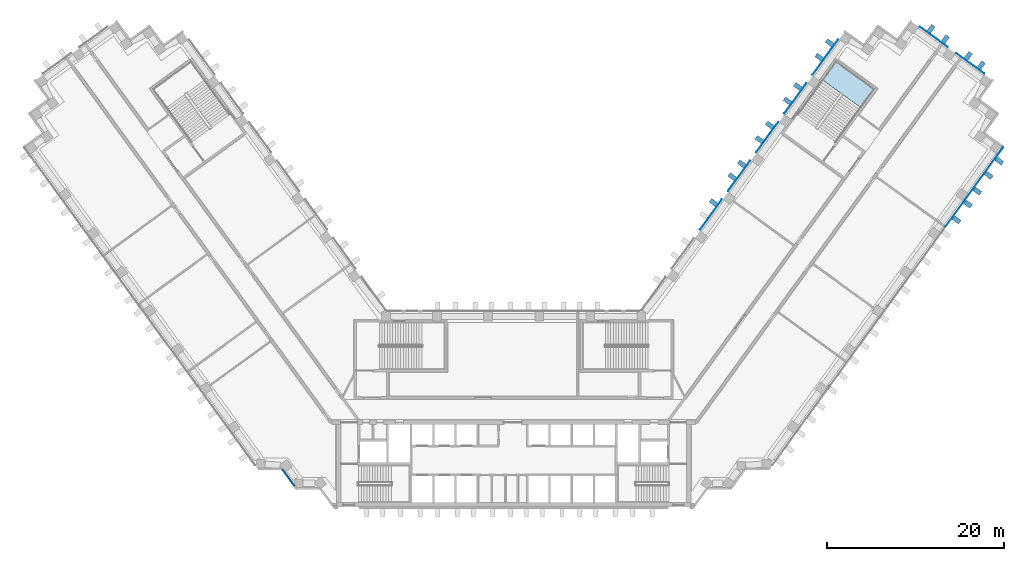
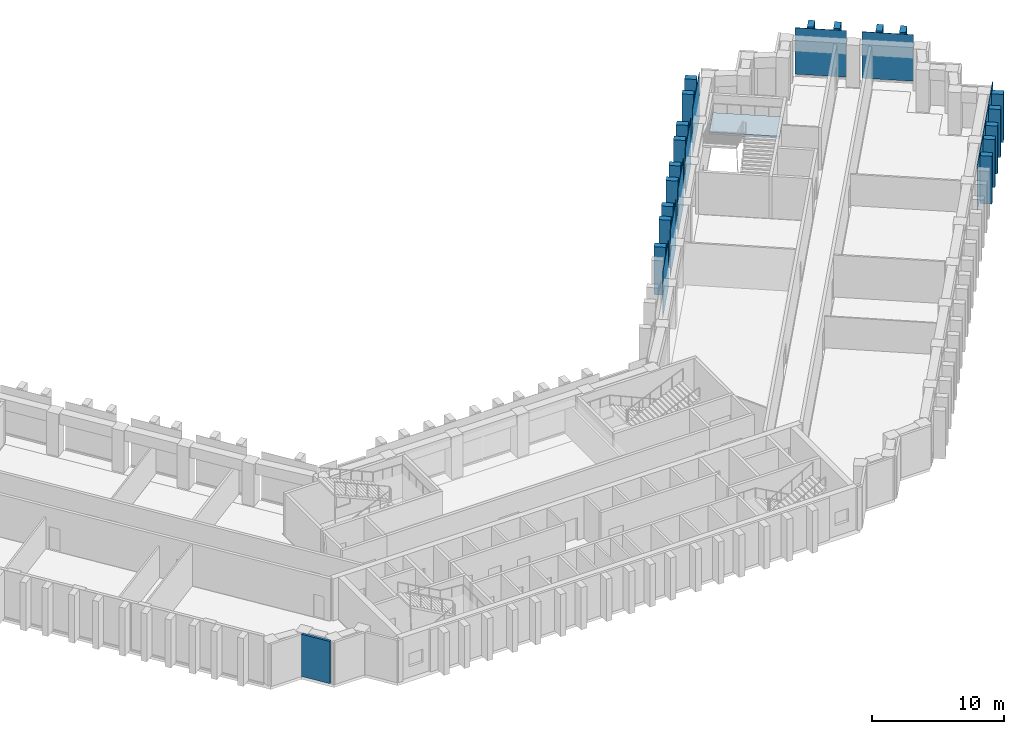
"""IFC4 building model written with IfcOpenShell, lengths in metres."""

from ifc_helpers import new_model, si_unit, direction, frame, frame_2d, origin, origin_2d, place, context, subcontext, project, spatial, polyline, rectangle, outline, extrude, material, layer, layer_set, type_object, element, aggregate, save


model = new_model("IFC4")

# Units and contexts
model_context = context("Model", 3, precision=1e-05, world=origin(), true_north=direction((0.0, 1.0)))
body_context = subcontext(model_context, "Body", "Model", "MODEL_VIEW")
ifc_project = project(units=[si_unit("LENGTHUNIT", "METRE"), si_unit("AREAUNIT", "SQUARE_METRE"), si_unit("VOLUMEUNIT", "CUBIC_METRE"), si_unit("PLANEANGLEUNIT", "RADIAN"), si_unit("MASSUNIT", "GRAM", prefix="KILO")], contexts=[model_context])

# Site, building, storey
site_placement = place(None, origin())
site = spatial("IfcSite", under=ifc_project, at=site_placement, CompositionType="ELEMENT")
building_placement = place(site_placement, origin())
building = spatial("IfcBuilding", under=site, at=building_placement, Name="Quipu Civic Tower", CompositionType="ELEMENT")
storey_1_placement = place(building_placement, frame((0.0, 0.0, 16.0)))
storey_1 = spatial("IfcBuildingStorey", under=building, at=storey_1_placement, Name="L03", CompositionType="ELEMENT", Elevation=16.0)

# Curtain wall
ifc_material_1 = material(Name="Insulated glass unit", Category="glass")
curtain_wall_type = type_object("IfcCurtainWallType", Name="Public services curtain wall CW3", PredefinedType="NOTDEFINED", material=ifc_material_1)
curtain_wall_1_placement = place(storey_1_placement, origin())
curtain_wall_1 = element("IfcCurtainWall", 1, at=curtain_wall_1_placement, inside=storey_1, type_object=curtain_wall_type, Name="Public services curtain wall CW3 L02 run 32", PredefinedType="NOTDEFINED")

# Storey
storey_2_placement = place(building_placement, frame((0.0, 0.0, 20.5)))
storey_2 = spatial("IfcBuildingStorey", under=building, at=storey_2_placement, Name="L04", CompositionType="ELEMENT", Elevation=20.5)

# Plate
ifc_material_2 = material(Name="Insulated glass unit", Category="glass")
ifc_layer_1 = layer(ifc_material_2, 0.031982421875)
ifc_layer_set_1 = layer_set([ifc_layer_1], Name="Insulated glass unit")
plate_type_1 = type_object("IfcPlateType", Name="Glass panel CW3", PredefinedType="CURTAIN_PANEL", material=ifc_layer_set_1)
plate_1_placement = place(storey_2_placement, frame((51.970947265625, 25.11962890625, 0.139892578125), z_axis=(0.0, 0.0, 1.0), x_axis=(0.587785356329, 0.809016918788, 0.0)))
plate_1 = element("IfcPlate", 2, at=plate_1_placement, inside=storey_2, type_object=plate_type_1, Name="CW3 panel 4.3", PredefinedType="CURTAIN_PANEL", context=body_context, shape_type="SweptSolid", body=[
    extrude(rectangle(XDim=10.971435546875, YDim=0.031982421875, at=origin_2d()), origin(), (0.0, 0.0, 1.0), 4.2900390625),
])

aggregate(curtain_wall_1, [plate_1])

# Curtain wall, plate
curtain_wall_2_placement = place(storey_1_placement, origin())
curtain_wall_2 = element("IfcCurtainWall", 3, at=curtain_wall_2_placement, inside=storey_1, type_object=curtain_wall_type, Name="Public services curtain wall CW3 L02 run 37", PredefinedType="NOTDEFINED")
plate_2_placement = place(storey_2_placement, frame((51.51025390625, 39.033447265625, 0.139892578125), z_axis=(0.0, 0.0, 1.0), x_axis=(-0.809014568883, 0.587788590681, 0.0)))
plate_2 = element("IfcPlate", 4, at=plate_2_placement, inside=storey_2, type_object=plate_type_1, Name="CW3 panel 1.3", PredefinedType="CURTAIN_PANEL", context=body_context, shape_type="SweptSolid", body=[
    extrude(rectangle(XDim=3.898193359375, YDim=0.031982421875, at=origin_2d()), origin(), (0.0, 0.0, 1.0), 4.2900390625),
])
aggregate(curtain_wall_2, [plate_2])

curtain_wall_3_placement = place(storey_1_placement, origin())
curtain_wall_3 = element("IfcCurtainWall", 5, at=curtain_wall_3_placement, inside=storey_1, type_object=curtain_wall_type, Name="Public services curtain wall CW3 L02 run 38", PredefinedType="NOTDEFINED")
plate_3_placement = place(storey_2_placement, frame((47.385009765625, 42.03076171875, 0.139892578125), z_axis=(0.0, 0.0, 1.0), x_axis=(-0.809030241342, 0.587767018974, 0.0)))
plate_3 = element("IfcPlate", 6, at=plate_3_placement, inside=storey_2, type_object=plate_type_1, Name="CW3 panel 1.3", PredefinedType="CURTAIN_PANEL", context=body_context, shape_type="SweptSolid", body=[
    extrude(rectangle(XDim=3.900146484375, YDim=0.031982421875, at=origin_2d()), origin(), (0.0, 0.0, 1.0), 4.2900390625),
])
aggregate(curtain_wall_3, [plate_3])

curtain_wall_4_placement = place(storey_1_placement, origin())
curtain_wall_4 = element("IfcCurtainWall", 7, at=curtain_wall_4_placement, inside=storey_1, type_object=curtain_wall_type, Name="Public services curtain wall CW3 L02 run 43", PredefinedType="NOTDEFINED")
plate_4_placement = place(storey_2_placement, frame((35.149658203125, 39.736328125, 0.139892578125), z_axis=(0.0, 0.0, 1.0), x_axis=(-0.587782980465, -0.809018644949, 0.0)))
plate_4 = element("IfcPlate", 8, at=plate_4_placement, inside=storey_2, type_object=plate_type_1, Name="CW3 panel 1.3", PredefinedType="CURTAIN_PANEL", context=body_context, shape_type="SweptSolid", body=[
    extrude(rectangle(XDim=4.89453125, YDim=0.031982421875, at=origin_2d()), origin(), (0.0, 0.0, 1.0), 4.2900390625),
])
aggregate(curtain_wall_4, [plate_4])

curtain_wall_5_placement = place(storey_1_placement, origin())
curtain_wall_5 = element("IfcCurtainWall", 9, at=curtain_wall_5_placement, inside=storey_1, type_object=curtain_wall_type, Name="Public services curtain wall CW3 L02 run 44", PredefinedType="NOTDEFINED")
plate_5_placement = place(storey_2_placement, frame((31.771484375, 35.086669921875, 0.139892578125), z_axis=(0.0, 0.0, 1.0), x_axis=(-0.587789203544, -0.809014123608, 0.0)))
plate_5 = element("IfcPlate", 10, at=plate_5_placement, inside=storey_2, type_object=plate_type_1, Name="CW3 panel 1.3", PredefinedType="CURTAIN_PANEL", context=body_context, shape_type="SweptSolid", body=[
    extrude(rectangle(XDim=4.199951171875, YDim=0.031982421875, at=origin_2d()), origin(), (0.0, 0.0, 1.0), 4.2900390625),
])
aggregate(curtain_wall_5, [plate_5])

curtain_wall_6_placement = place(storey_1_placement, origin())
curtain_wall_6 = element("IfcCurtainWall", 11, at=curtain_wall_6_placement, inside=storey_1, type_object=curtain_wall_type, Name="Public services curtain wall CW3 L02 run 45", PredefinedType="NOTDEFINED")
plate_6_placement = place(storey_2_placement, frame((28.597412109375, 30.718017578125, 0.139892578125), z_axis=(0.0, 0.0, 1.0), x_axis=(-0.587785135859, -0.809017078969, 0.0)))
plate_6 = element("IfcPlate", 12, at=plate_6_placement, inside=storey_2, type_object=plate_type_1, Name="CW3 panel 1.3", PredefinedType="CURTAIN_PANEL", context=body_context, shape_type="SweptSolid", body=[
    extrude(rectangle(XDim=4.199951171875, YDim=0.031982421875, at=origin_2d()), origin(), (0.0, 0.0, 1.0), 4.2900390625),
])
aggregate(curtain_wall_6, [plate_6])

curtain_wall_7_placement = place(storey_1_placement, origin())
curtain_wall_7 = element("IfcCurtainWall", 13, at=curtain_wall_7_placement, inside=storey_1, type_object=curtain_wall_type, Name="Public services curtain wall CW3 L02 run 46", PredefinedType="NOTDEFINED")
plate_7_placement = place(storey_2_placement, frame((25.42333984375, 26.349365234375, 0.139892578125), z_axis=(0.0, 0.0, 1.0), x_axis=(-0.587789203544, -0.809014123608, 0.0)))
plate_7 = element("IfcPlate", 14, at=plate_7_placement, inside=storey_2, type_object=plate_type_1, Name="CW3 panel 1.3", PredefinedType="CURTAIN_PANEL", context=body_context, shape_type="SweptSolid", body=[
    extrude(rectangle(XDim=4.199951171875, YDim=0.031982421875, at=origin_2d()), origin(), (0.0, 0.0, 1.0), 4.2900390625),
])
aggregate(curtain_wall_7, [plate_7])

curtain_wall_8_placement = place(storey_1_placement, origin())
curtain_wall_8 = element("IfcCurtainWall", 15, at=curtain_wall_8_placement, inside=storey_1, type_object=curtain_wall_type, Name="Public services curtain wall CW3 L02 run 47", PredefinedType="NOTDEFINED")
plate_8_placement = place(storey_2_placement, frame((22.24951171875, 21.98046875, 0.139892578125), z_axis=(0.0, 0.0, 1.0), x_axis=(-0.587774328321, -0.809024930992, 0.0)))
plate_8 = element("IfcPlate", 16, at=plate_8_placement, inside=storey_2, type_object=plate_type_1, Name="CW3 panel 1.3", PredefinedType="CURTAIN_PANEL", context=body_context, shape_type="SweptSolid", body=[
    extrude(rectangle(XDim=4.199951171875, YDim=0.031982421875, at=origin_2d()), origin(), (0.0, 0.0, 1.0), 4.2900390625),
])
aggregate(curtain_wall_8, [plate_8])

# Plates
ifc_material_3 = material(Name="Precast concrete C40/50", Category="concrete")
plate_type_2 = type_object("IfcPlateType", Name="Precast fin F0", PredefinedType="SHEET", material=ifc_material_3)
for number, where, z_axis, x_axis, name in (
    (17, (49.946533203125, 21.397705078125, 0.06982421875), (0.0, 0.0, 1.0), (0.587785716149, 0.809016657363, 0.0), "Precast fin F0 L04.P33.18"),
    (18, (51.23974609375, 23.177734375, 0.06982421875), (0.0, 0.0, 1.0), (0.587785716149, 0.809016657363, 0.0), "Precast fin F0 L04.P33.19"),
    (19, (52.2978515625, 24.6337890625, 0.06982421875), (0.0, 0.0, 1.0), (0.587785716149, 0.809016657363, 0.0), "Precast fin F0 L04.P33.20"),
    (20, (53.5908203125, 26.413818359375, 0.06982421875), (0.0, 0.0, 1.0), (0.587785716149, 0.809016657363, 0.0), "Precast fin F0 L04.P33.21"),
    (21, (54.766357421875, 28.03173828125, 0.06982421875), (0.0, 0.0, 1.0), (0.587785716149, 0.809016657363, 0.0), "Precast fin F0 L04.P33.22"),
    (22, (52.73828125, 38.821044921875, 0.06982421875), (0.0, 0.0, 1.0), (-0.809021318545, 0.587779300537, 0.0), "Precast fin F0 L04.P38.1"),
    (23, (51.281982421875, 39.879150390625, 0.06982421875), (0.0, 0.0, 1.0), (-0.809021318545, 0.587779300537, 0.0), "Precast fin F0 L04.P38.2"),
    (24, (48.686279296875, 41.76513671875, 0.06982421875), (0.0, 0.0, 1.0), (-0.809021318545, 0.587779300537, 0.0), "Precast fin F0 L04.P39.1"),
    (25, (47.068115234375, 42.940673828125, 0.06982421875), (0.0, 0.0, 1.0), (-0.809021318545, 0.587779300537, 0.0), "Precast fin F0 L04.P39.2"),
    (26, (35.64453125, 41.35302734375, 0.06982421875), (0.0, 0.0, 1.0), (-0.587784944053, -0.809017218324, 0.0), "Precast fin F0 L04.P44.1"),
    (27, (34.468994140625, 39.73486328125, 0.06982421875), (0.0, 0.0, 1.0), (-0.587784944053, -0.809017218324, 0.0), "Precast fin F0 L04.P44.2"),
    (28, (32.066650390625, 36.428466796875, 0.06982421875), (0.0, 0.0, 1.0), (-0.587784944053, -0.809017218324, 0.0), "Precast fin F0 L04.P45.1"),
    (29, (30.89111328125, 34.810546875, 0.06982421875), (0.0, 0.0, 1.0), (-0.587784944053, -0.809017218324, 0.0), "Precast fin F0 L04.P45.2"),
    (30, (28.896484375, 32.065185546875, 0.06982421875), (0.0, 0.0, 1.0), (-0.587784944053, -0.809017218324, 0.0), "Precast fin F0 L04.P46.1"),
    (31, (27.720947265625, 30.447265625, 0.06982421875), (0.0, 0.0, 1.0), (-0.587784944053, -0.809017218324, 0.0), "Precast fin F0 L04.P46.2"),
    (32, (25.7265625, 27.7021484375, 0.06982421875), (0.0, 0.0, 1.0), (-0.587784944053, -0.809017218324, 0.0), "Precast fin F0 L04.P47.1"),
    (33, (24.66845703125, 26.245849609375, 0.06982421875), (0.0, 0.0, 1.0), (-0.587784944053, -0.809017218324, 0.0), "Precast fin F0 L04.P47.2"),
    (34, (22.556396484375, 23.3388671875, 0.06982421875), (0.0, 0.0, 1.0), (-0.587784944053, -0.809017218324, 0.0), "Precast fin F0 L04.P48.1"),
):
    element("IfcPlate", number, at=place(storey_2_placement, frame(where, z_axis=z_axis, x_axis=x_axis)), inside=storey_2, type_object=plate_type_2, Name=name, PredefinedType="SHEET", context=body_context, shape_type="SweptSolid", body=[
        extrude(rectangle(XDim=0.5, YDim=0.89990234375, at=origin_2d()), origin(), (0.0, 0.0, 1.0), 4.429931640625),
    ])

# Stair, slab
ifc_material_4 = material(Name="Concrete C40/50", Category="concrete")
stair_type = type_object("IfcStairType", Name="Half turn stair 2600", PredefinedType="HALF_TURN_STAIR", material=ifc_material_4)
stair_placement = place(storey_2_placement, origin())
stair = element("IfcStair", 35, at=stair_placement, inside=storey_2, type_object=stair_type, Name="Exit stair 7", PredefinedType="HALF_TURN_STAIR")
ifc_material_5 = material(Name="Concrete C40/50", Category="concrete")
ifc_layer_2 = layer(ifc_material_5, 0.199951171875)
ifc_layer_set_2 = layer_set([ifc_layer_2], Name="Concrete C40/50")
slab_type = type_object("IfcSlabType", Name="Stair landing 200", PredefinedType="LANDING", material=ifc_layer_set_2)
slab_placement = place(storey_2_placement, frame((0.0, 0.0, 2.050048828125)))
slab = element("IfcSlab", 36, at=slab_placement, type_object=slab_type, Name="ST-7 landing 1", PredefinedType="LANDING", context=body_context, shape_type="SweptSolid", body=[
    extrude(outline(polyline([(39.16552734375, 34.034912109375), (40.69384765625, 36.138427734375), (36.365478515625, 39.282958984375), (34.837158203125, 37.179443359375), (39.16552734375, 34.034912109375)])), origin(), (0.0, 0.0, 1.0), 0.199951171875),
])
aggregate(stair, [slab])

# Wall
ifc_material_6 = material(Name="Precast concrete C40/50", Category="concrete")
wall_type = type_object("IfcWallType", Name="Precast cladding wall", PredefinedType="SOLIDWALL", material=ifc_material_6)
wall_placement = place(storey_2_placement, frame((-26.1201171875, -6.72412109375, 0.0), z_axis=(0.0, 0.0, 1.0), x_axis=(0.587706476352, -0.809074222587, 0.0)))
element("IfcWall", 37, at=wall_placement, inside=storey_2, type_object=wall_type, Name="Precast cladding wall L04 P20", PredefinedType="SOLIDWALL", context=body_context, shape_type="SweptSolid", body=[
    extrude(rectangle(XDim=2.403076171875, YDim=0.199951171875, at=frame_2d((1.20166015625, 0.0))), origin(), (0.0, 0.0, 1.0), 3.89990234375),
])

save(model, "model.ifc")
